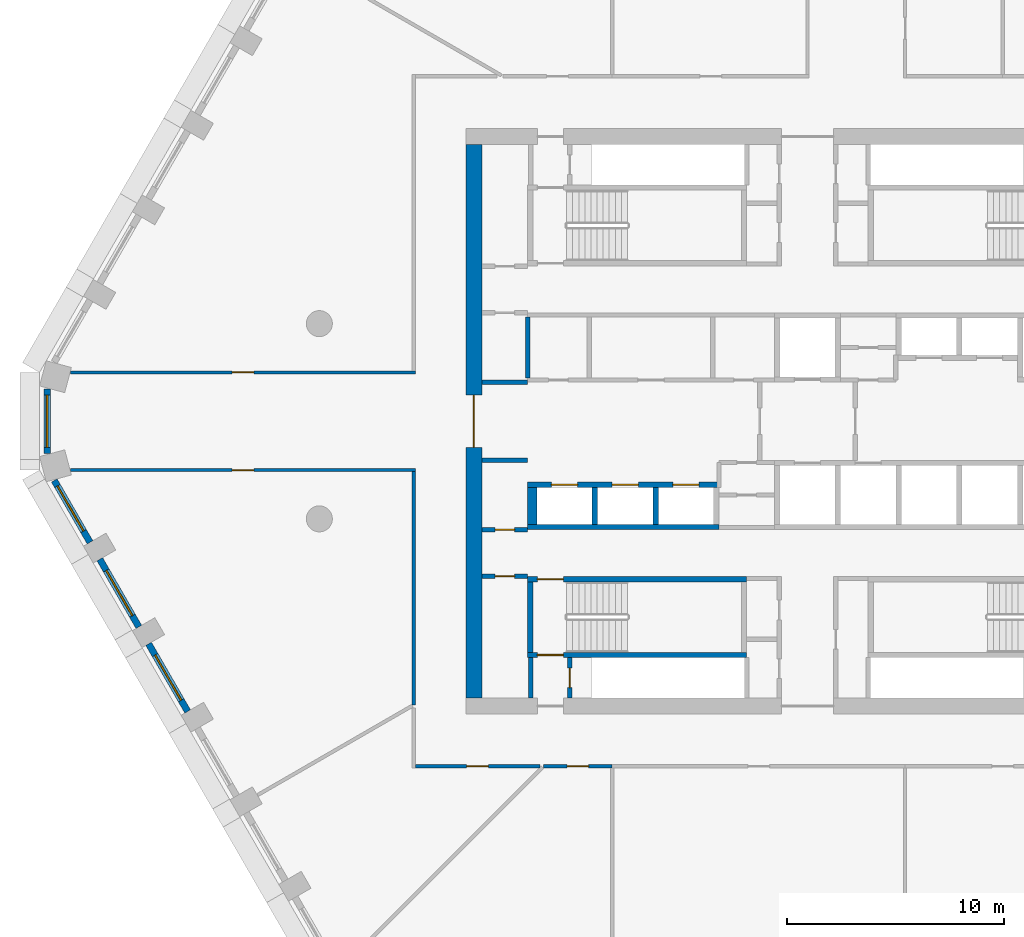
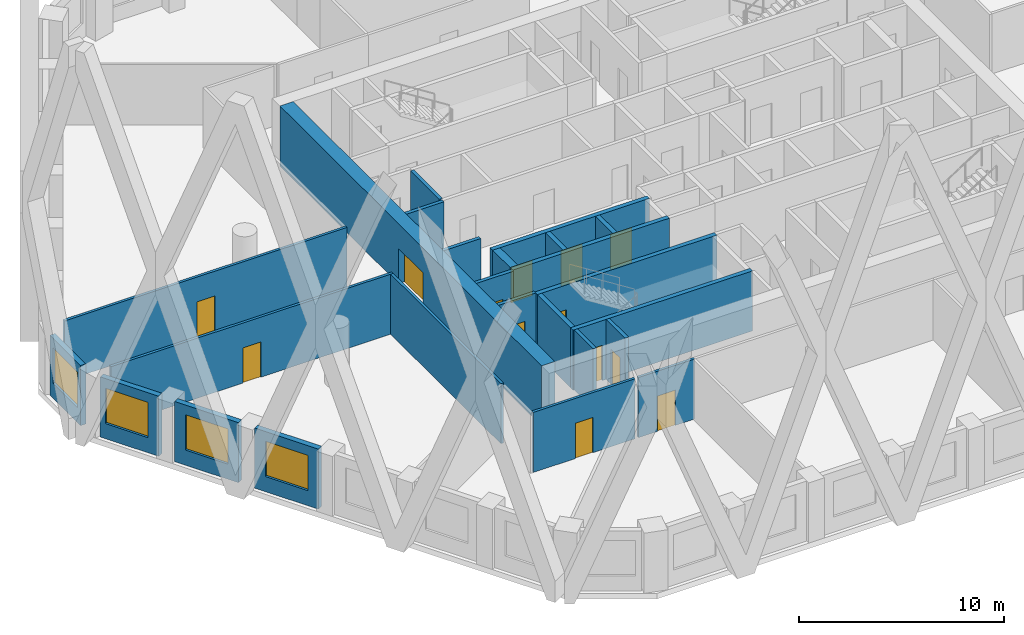
# One storey, part 2 of 17: 25 walls, 13 doors, 4 windows, 17 openings.
"""IFC4 building model written with IfcOpenShell, lengths in metres."""

from ifc_helpers import new_model, si_unit, direction, frame, frame_2d, origin, place, context, subcontext, project, spatial, polyline, rectangle, outline, extrude, material, layer, layer_set, type_object, element, fill, save


model = new_model("IFC4")

# Units and contexts
model_context = context("Model", 3, precision=1e-05, world=origin(), true_north=direction((0.0, 1.0)))
body_context = subcontext(model_context, "Body", "Model", "MODEL_VIEW")
ifc_project = project(units=[si_unit("LENGTHUNIT", "METRE"), si_unit("AREAUNIT", "SQUARE_METRE"), si_unit("VOLUMEUNIT", "CUBIC_METRE"), si_unit("PLANEANGLEUNIT", "RADIAN"), si_unit("MASSUNIT", "GRAM", prefix="KILO")], contexts=[model_context])

# Site, building, storey
site_placement = place(None, origin())
site = spatial("IfcSite", under=ifc_project, at=site_placement, CompositionType="ELEMENT")
building_placement = place(site_placement, origin())
building = spatial("IfcBuilding", under=site, at=building_placement, Name="Dhurran Vertical Campus", CompositionType="ELEMENT")
storey_placement = place(building_placement, frame((0.0, 0.0, 156.0)))
storey = spatial("IfcBuildingStorey", under=building, at=storey_placement, Name="L38", CompositionType="ELEMENT", Elevation=156.0)

# Wall, opening, window
ifc_material_1 = material(Name="Precast concrete C50/60", Category="concrete")
ifc_layer_1 = layer(ifc_material_1, 0.300048828125)
ifc_layer_set_1 = layer_set([ifc_layer_1], Name="Precast concrete C50/60")
wall_type_1 = type_object("IfcWallType", Name="Precast spandrel wall 300", PredefinedType="SOLIDWALL", material=ifc_layer_set_1)
wall_1_placement = place(storey_placement, frame((-35.047119140625, 1.49462890625, 0.0), z_axis=(0.0, 0.0, 1.0), x_axis=(0.0, -1.0, 0.0)))
wall_1 = element("IfcWall", 1, at=wall_1_placement, inside=storey, type_object=wall_type_1, Name="EW1 L38.38", PredefinedType="SOLIDWALL", context=body_context, shape_type="SweptSolid", body=[
    extrude(rectangle(XDim=2.9892578125, YDim=0.300048828125, at=frame_2d((1.49462890625, 0.0))), origin(), (0.0, 0.0, 1.0), 3.574951171875),
])
opening_1_placement = place(wall_1_placement, frame((0.294677734375, 0.0, 0.89990234375)))
opening_1 = element("IfcOpeningElement", 2, at=opening_1_placement, cuts=wall_1, Name="Opening WT1", PredefinedType="OPENING", context=body_context, shape_type="SweptSolid", body=[
    extrude(rectangle(XDim=2.39990234375, YDim=2.10009765625, at=frame_2d((1.199951171875, 1.050048828125))), frame((0.0, 0.159912109375, 0.0), z_axis=(0.0, -1.0, 0.0), x_axis=(1.0, 0.0, 0.0)), (0.0, 0.0, 1.0), 0.320068359375),
])
ifc_material_2 = material(Name="Aluminium frame with solar-control glass", Category="aluminium")
window_type = type_object("IfcWindowType", Name="Punched window 2400 x 2100", PartitioningType="SINGLE_PANEL", PredefinedType="WINDOW", material=ifc_material_2)
window_1_placement = place(opening_1_placement, origin())
window_1 = element("IfcWindow", 3, at=window_1_placement, inside=storey, type_object=window_type, Name="WT1 L38.38", OverallHeight=2.10009765625, OverallWidth=2.39990234375, PartitioningType="SINGLE_PANEL", PredefinedType="WINDOW", context=body_context, shape_type="SweptSolid", body=[
    extrude(rectangle(XDim=2.39990234375, YDim=2.10009765625, at=frame_2d((1.199951171875, 1.050048828125))), frame((0.0, 0.030029296875, 0.0), z_axis=(0.0, -1.0, 0.0), x_axis=(1.0, 0.0, 0.0)), (0.0, 0.0, 1.0), 0.06005859375),
])
fill(opening_1, window_1)

wall_2_placement = place(storey_placement, frame((-34.71630859375, -2.729248046875, 0.0), z_axis=(0.0, 0.0, 1.0), x_axis=(0.499981217486, -0.866036247602, 0.0)))
wall_2 = element("IfcWall", 4, at=wall_2_placement, inside=storey, type_object=wall_type_1, Name="EW1 L38.39", PredefinedType="SOLIDWALL", context=body_context, shape_type="SweptSolid", body=[
    extrude(rectangle(XDim=3.294189453125, YDim=0.300048828125, at=frame_2d((1.64697265625, 0.0))), origin(), (0.0, 0.0, 1.0), 3.574951171875),
])
opening_2_placement = place(wall_2_placement, frame((0.294677734375, 0.0, 0.89990234375)))
opening_2 = element("IfcOpeningElement", 5, at=opening_2_placement, cuts=wall_2, Name="Opening WT1", PredefinedType="OPENING", context=body_context, shape_type="SweptSolid", body=[
    extrude(rectangle(XDim=2.39990234375, YDim=2.10009765625, at=frame_2d((1.199951171875, 1.050048828125))), frame((0.0, 0.159912109375, 0.0), z_axis=(0.0, -1.0, 0.0), x_axis=(1.0, 0.0, 0.0)), (0.0, 0.0, 1.0), 0.320068359375),
])
window_2_placement = place(opening_2_placement, origin())
window_2 = element("IfcWindow", 6, at=window_2_placement, inside=storey, type_object=window_type, Name="WT1 L38.39", OverallHeight=2.10009765625, OverallWidth=2.39990234375, PartitioningType="SINGLE_PANEL", PredefinedType="WINDOW", context=body_context, shape_type="SweptSolid", body=[
    extrude(rectangle(XDim=2.39990234375, YDim=2.10009765625, at=frame_2d((1.199951171875, 1.050048828125))), frame((0.0, 0.030029296875, 0.0), z_axis=(0.0, -1.0, 0.0), x_axis=(1.0, 0.0, 0.0)), (0.0, 0.0, 1.0), 0.06005859375),
])
fill(opening_2, window_2)

wall_3_placement = place(storey_placement, frame((-32.618896484375, -6.3623046875, 0.0), z_axis=(0.0, 0.0, 1.0), x_axis=(0.500027802648, -0.866009351323, 0.0)))
wall_3 = element("IfcWall", 7, at=wall_3_placement, inside=storey, type_object=wall_type_1, Name="EW1 L38.40", PredefinedType="SOLIDWALL", context=body_context, shape_type="SweptSolid", body=[
    extrude(rectangle(XDim=3.598876953125, YDim=0.300048828125, at=frame_2d((1.79931640625, 0.0))), origin(), (0.0, 0.0, 1.0), 3.574951171875),
])
opening_3_placement = place(wall_3_placement, frame((0.599609375, 0.0, 0.89990234375)))
opening_3 = element("IfcOpeningElement", 8, at=opening_3_placement, cuts=wall_3, Name="Opening WT1", PredefinedType="OPENING", context=body_context, shape_type="SweptSolid", body=[
    extrude(rectangle(XDim=2.39990234375, YDim=2.10009765625, at=frame_2d((1.199951171875, 1.050048828125))), frame((0.0, 0.159912109375, 0.0), z_axis=(0.0, -1.0, 0.0), x_axis=(1.0, 0.0, 0.0)), (0.0, 0.0, 1.0), 0.320068359375),
])
window_3_placement = place(opening_3_placement, origin())
window_3 = element("IfcWindow", 9, at=window_3_placement, inside=storey, type_object=window_type, Name="WT1 L38.40", OverallHeight=2.10009765625, OverallWidth=2.39990234375, PartitioningType="SINGLE_PANEL", PredefinedType="WINDOW", context=body_context, shape_type="SweptSolid", body=[
    extrude(rectangle(XDim=2.39990234375, YDim=2.10009765625, at=frame_2d((1.199951171875, 1.050048828125))), frame((0.0, 0.030029296875, 0.0), z_axis=(0.0, -1.0, 0.0), x_axis=(1.0, 0.0, 0.0)), (0.0, 0.0, 1.0), 0.06005859375),
])
fill(opening_3, window_3)

wall_4_placement = place(storey_placement, frame((-30.368896484375, -10.259521484375, 0.0), z_axis=(0.0, 0.0, 1.0), x_axis=(0.500027802648, -0.866009351323, 0.0)))
wall_4 = element("IfcWall", 10, at=wall_4_placement, inside=storey, type_object=wall_type_1, Name="EW1 L38.41", PredefinedType="SOLIDWALL", context=body_context, shape_type="SweptSolid", body=[
    extrude(rectangle(XDim=3.598876953125, YDim=0.300048828125, at=frame_2d((1.79931640625, 0.0))), origin(), (0.0, 0.0, 1.0), 3.574951171875),
])
opening_4_placement = place(wall_4_placement, frame((0.599609375, 0.0, 0.89990234375)))
opening_4 = element("IfcOpeningElement", 11, at=opening_4_placement, cuts=wall_4, Name="Opening WT1", PredefinedType="OPENING", context=body_context, shape_type="SweptSolid", body=[
    extrude(rectangle(XDim=2.39990234375, YDim=2.10009765625, at=frame_2d((1.199951171875, 1.050048828125))), frame((0.0, 0.159912109375, 0.0), z_axis=(0.0, -1.0, 0.0), x_axis=(1.0, 0.0, 0.0)), (0.0, 0.0, 1.0), 0.320068359375),
])
window_4_placement = place(opening_4_placement, origin())
window_4 = element("IfcWindow", 12, at=window_4_placement, inside=storey, type_object=window_type, Name="WT1 L38.41", OverallHeight=2.10009765625, OverallWidth=2.39990234375, PartitioningType="SINGLE_PANEL", PredefinedType="WINDOW", context=body_context, shape_type="SweptSolid", body=[
    extrude(rectangle(XDim=2.39990234375, YDim=2.10009765625, at=frame_2d((1.199951171875, 1.050048828125))), frame((0.0, 0.030029296875, 0.0), z_axis=(0.0, -1.0, 0.0), x_axis=(1.0, 0.0, 0.0)), (0.0, 0.0, 1.0), 0.06005859375),
])
fill(opening_4, window_4)

# Wall, opening, door
ifc_material_3 = material(Name="Concrete C60/75", Category="concrete")
ifc_layer_2 = layer(ifc_material_3, 0.75)
ifc_layer_set_2 = layer_set([ifc_layer_2], Name="Concrete C60/75")
wall_type_2 = type_object("IfcWallType", Name="co-CORE-WALL-C1-750", PredefinedType="SHEAR", material=ifc_layer_set_2)
wall_5_placement = place(storey_placement, frame((-15.375, -12.75, 0.0), z_axis=(0.0, 0.0, 1.0), x_axis=(0.0, 1.0, 0.0)))
wall_5 = element("IfcWall", 13, at=wall_5_placement, inside=storey, type_object=wall_type_2, Name="Core wall W L38", PredefinedType="SHEAR", context=body_context, shape_type="SweptSolid", body=[
    extrude(rectangle(XDim=25.5, YDim=0.75, at=frame_2d((12.75, 0.0))), origin(), (0.0, 0.0, 1.0), 3.574951171875),
])
opening_5_placement = place(wall_5_placement, frame((11.550048828125, 0.0, 0.0)))
opening_5 = element("IfcOpeningElement", 14, at=opening_5_placement, cuts=wall_5, Name="Opening CL1", PredefinedType="OPENING", context=body_context, shape_type="SweptSolid", body=[
    extrude(rectangle(XDim=2.39990234375, YDim=2.10009765625, at=frame_2d((1.199951171875, 1.050048828125))), frame((0.0, 0.385009765625, 0.0), z_axis=(0.0, -1.0, 0.0), x_axis=(1.0, 0.0, 0.0)), (0.0, 0.0, 1.0), 0.77001953125),
])
ifc_material_4 = material(Name="Fire-rated glazed door set")
door_type_1 = type_object("IfcDoorType", Name="co-D-LOBBY 2400x2100", OperationType="DOUBLE_DOOR_DOUBLE_SWING", PredefinedType="DOOR", material=ifc_material_4)
door_1_placement = place(opening_5_placement, origin())
door_1 = element("IfcDoor", 15, at=door_1_placement, inside=storey, type_object=door_type_1, Name="Lift lobby door W L38", OperationType="DOUBLE_DOOR_DOUBLE_SWING", OverallHeight=2.10009765625, OverallWidth=2.39990234375, PredefinedType="DOOR", context=body_context, shape_type="SweptSolid", body=[
    extrude(rectangle(XDim=2.39990234375, YDim=2.10009765625, at=frame_2d((1.199951171875, 1.050048828125))), frame((0.0, 0.02490234375, 0.0), z_axis=(0.0, -1.0, 0.0), x_axis=(1.0, 0.0, 0.0)), (0.0, 0.0, 1.0), 0.050048828125),
])
fill(opening_5, door_1)

# Wall
ifc_material_5 = material(Name="Fire-rated masonry blockwork", Category="masonry")
ifc_layer_3 = layer(ifc_material_5, 0.199951171875)
ifc_layer_set_3 = layer_set([ifc_layer_3], Name="Fire-rated masonry blockwork")
wall_type_3 = type_object("IfcWallType", Name="co-FIRE-PARTITION-200", PredefinedType="PARTITIONING", material=ifc_layer_set_3)
wall_6_placement = place(storey_placement, frame((-12.75, -12.75, 0.0), z_axis=(0.0, 0.0, 1.0), x_axis=(0.0, 1.0, 0.0)))
element("IfcWall", 16, at=wall_6_placement, inside=storey, type_object=wall_type_3, Name="Core partition pass-ST3-o L38", PredefinedType="PARTITIONING", context=body_context, shape_type="SweptSolid", body=[
    extrude(rectangle(XDim=1.85009765625, YDim=0.199951171875, at=frame_2d((0.925048828125, 0.0))), origin(), (0.0, 0.0, 1.0), 3.574951171875),
])

# Wall, opening, door
wall_7_placement = place(storey_placement, frame((-10.949951171875, -12.75, 0.0), z_axis=(0.0, 0.0, 1.0), x_axis=(0.0, 1.0, 0.0)))
wall_7 = element("IfcWall", 17, at=wall_7_placement, inside=storey, type_object=wall_type_3, Name="Core partition pass-ST3-i L38", PredefinedType="PARTITIONING", context=body_context, shape_type="SweptSolid", body=[
    extrude(rectangle(XDim=1.85009765625, YDim=0.199951171875, at=frame_2d((0.925048828125, 0.0))), origin(), (0.0, 0.0, 1.0), 3.574951171875),
])
opening_6_placement = place(wall_7_placement, frame((0.47509765625, 0.0, 0.0)))
opening_6 = element("IfcOpeningElement", 18, at=opening_6_placement, cuts=wall_7, Name="Opening T11-C10", PredefinedType="OPENING", context=body_context, shape_type="SweptSolid", body=[
    extrude(rectangle(XDim=0.89990234375, YDim=2.10009765625, at=frame_2d((0.449951171875, 1.050048828125))), frame((0.0, 0.10986328125, 0.0), z_axis=(0.0, -1.0, 0.0), x_axis=(1.0, 0.0, 0.0)), (0.0, 0.0, 1.0), 0.219970703125),
])
ifc_material_6 = material(Name="Fire-rated timber door set", Category="wood")
door_type_2 = type_object("IfcDoorType", Name="co-D-ROOM 900x2100", OperationType="SINGLE_SWING_LEFT", PredefinedType="DOOR", material=ifc_material_6)
door_2_placement = place(opening_6_placement, origin())
door_2 = element("IfcDoor", 19, at=door_2_placement, inside=storey, type_object=door_type_2, Name="Riser room door L38", OperationType="SINGLE_SWING_LEFT", OverallHeight=2.10009765625, OverallWidth=0.89990234375, PredefinedType="DOOR", context=body_context, shape_type="SweptSolid", body=[
    extrude(rectangle(XDim=0.89990234375, YDim=2.10009765625, at=frame_2d((0.449951171875, 1.050048828125))), frame((0.0, 0.02490234375, 0.0), z_axis=(0.0, -1.0, 0.0), x_axis=(1.0, 0.0, 0.0)), (0.0, 0.0, 1.0), 0.050048828125),
])
fill(opening_6, door_2)

# Wall
wall_8_placement = place(storey_placement, frame((-15.0, 1.800048828125, 0.0), z_axis=(0.0, 0.0, 1.0), x_axis=(1.0, 0.0, 0.0)))
element("IfcWall", 20, at=wall_8_placement, inside=storey, type_object=wall_type_3, Name="Core partition es-NW-l L38", PredefinedType="PARTITIONING", context=body_context, shape_type="SweptSolid", body=[
    extrude(rectangle(XDim=2.10009765625, YDim=0.199951171875, at=frame_2d((1.050048828125, 0.0))), origin(), (0.0, 0.0, 1.0), 3.574951171875),
])

# Wall, opening, door
wall_9_placement = place(storey_placement, frame((-15.0, -7.14990234375, 0.0), z_axis=(0.0, 0.0, 1.0), x_axis=(1.0, 0.0, 0.0)))
wall_9 = element("IfcWall", 21, at=wall_9_placement, inside=storey, type_object=wall_type_3, Name="Core partition en-SW-w L38", PredefinedType="PARTITIONING", context=body_context, shape_type="SweptSolid", body=[
    extrude(rectangle(XDim=2.10009765625, YDim=0.199951171875, at=frame_2d((1.050048828125, 0.0))), origin(), (0.0, 0.0, 1.0), 3.574951171875),
])
opening_7_placement = place(wall_9_placement, frame((0.60009765625, 0.0, 0.0)))
opening_7 = element("IfcOpeningElement", 22, at=opening_7_placement, cuts=wall_9, Name="Opening T11-C16", PredefinedType="OPENING", context=body_context, shape_type="SweptSolid", body=[
    extrude(rectangle(XDim=0.89990234375, YDim=2.10009765625, at=frame_2d((0.449951171875, 1.050048828125))), frame((0.0, 0.10986328125, 0.0), z_axis=(0.0, -1.0, 0.0), x_axis=(1.0, 0.0, 0.0)), (0.0, 0.0, 1.0), 0.219970703125),
])
door_3_placement = place(opening_7_placement, origin())
door_3 = element("IfcDoor", 23, at=door_3_placement, inside=storey, type_object=door_type_2, Name="Electrical riser door L38", OperationType="SINGLE_SWING_LEFT", OverallHeight=2.10009765625, OverallWidth=0.89990234375, PredefinedType="DOOR", context=body_context, shape_type="SweptSolid", body=[
    extrude(rectangle(XDim=0.89990234375, YDim=2.10009765625, at=frame_2d((0.449951171875, 1.050048828125))), frame((0.0, 0.02490234375, 0.0), z_axis=(0.0, -1.0, 0.0), x_axis=(1.0, 0.0, 0.0)), (0.0, 0.0, 1.0), 0.050048828125),
])
fill(opening_7, door_3)

wall_10_placement = place(storey_placement, frame((-15.0, -5.0, 0.0), z_axis=(0.0, 0.0, 1.0), x_axis=(1.0, 0.0, 0.0)))
wall_10 = element("IfcWall", 24, at=wall_10_placement, inside=storey, type_object=wall_type_3, Name="Core partition es-SW-w L38", PredefinedType="PARTITIONING", context=body_context, shape_type="SweptSolid", body=[
    extrude(rectangle(XDim=2.10009765625, YDim=0.199951171875, at=frame_2d((1.050048828125, 0.0))), origin(), (0.0, 0.0, 1.0), 3.574951171875),
])
opening_8_placement = place(wall_10_placement, frame((0.60009765625, 0.0, 0.0)))
opening_8 = element("IfcOpeningElement", 25, at=opening_8_placement, cuts=wall_10, Name="Opening T11-C17", PredefinedType="OPENING", context=body_context, shape_type="SweptSolid", body=[
    extrude(rectangle(XDim=0.89990234375, YDim=2.10009765625, at=frame_2d((0.449951171875, 1.050048828125))), frame((0.0, 0.10986328125, 0.0), z_axis=(0.0, -1.0, 0.0), x_axis=(1.0, 0.0, 0.0)), (0.0, 0.0, 1.0), 0.219970703125),
])
door_4_placement = place(opening_8_placement, origin())
door_4 = element("IfcDoor", 26, at=door_4_placement, inside=storey, type_object=door_type_2, Name="Fire equipment store door L38", OperationType="SINGLE_SWING_LEFT", OverallHeight=2.10009765625, OverallWidth=0.89990234375, PredefinedType="DOOR", context=body_context, shape_type="SweptSolid", body=[
    extrude(rectangle(XDim=0.89990234375, YDim=2.10009765625, at=frame_2d((0.449951171875, 1.050048828125))), frame((0.0, 0.02490234375, 0.0), z_axis=(0.0, -1.0, 0.0), x_axis=(1.0, 0.0, 0.0)), (0.0, 0.0, 1.0), 0.050048828125),
])
fill(opening_8, door_4)

# Walls
wall_11_placement = place(storey_placement, frame((-15.0, -1.800048828125, 0.0), z_axis=(0.0, 0.0, 1.0), x_axis=(1.0, 0.0, 0.0)))
element("IfcWall", 27, at=wall_11_placement, inside=storey, type_object=wall_type_3, Name="Core partition es-SW-l L38", PredefinedType="PARTITIONING", context=body_context, shape_type="SweptSolid", body=[
    extrude(rectangle(XDim=2.10009765625, YDim=0.199951171875, at=frame_2d((1.050048828125, 0.0))), origin(), (0.0, 0.0, 1.0), 3.574951171875),
])
wall_12_placement = place(storey_placement, frame((-12.89990234375, 2.0, 0.0), z_axis=(0.0, 0.0, 1.0), x_axis=(0.0, 1.0, 0.0)))
element("IfcWall", 28, at=wall_12_placement, inside=storey, type_object=wall_type_3, Name="Core partition fr-N0-e0 L38", PredefinedType="PARTITIONING", context=body_context, shape_type="SweptSolid", body=[
    extrude(rectangle(XDim=2.800048828125, YDim=0.199951171875, at=frame_2d((1.39990234375, 0.0))), origin(), (0.0, 0.0, 1.0), 3.574951171875),
])

# Wall, openings, doors
ifc_material_7 = material(Name="Concrete C50/60", Category="concrete")
ifc_layer_4 = layer(ifc_material_7, 0.25)
ifc_layer_set_4 = layer_set([ifc_layer_4], Name="Concrete C50/60")
wall_type_4 = type_object("IfcWallType", Name="co-SHAFT-FRONT-250", PredefinedType="SHEAR", material=ifc_layer_set_4)
wall_13_placement = place(storey_placement, frame((-12.89990234375, -2.925048828125, 0.0), z_axis=(0.0, 0.0, 1.0), x_axis=(1.0, 0.0, 0.0)))
wall_13 = element("IfcWall", 29, at=wall_13_placement, inside=storey, type_object=wall_type_4, Name="Lift landing wall S L38", PredefinedType="SHEAR", context=body_context, shape_type="SweptSolid", body=[
    extrude(rectangle(XDim=8.824951171875, YDim=0.25, at=frame_2d((4.41259765625, 0.0))), origin(), (0.0, 0.0, 1.0), 3.574951171875),
])
opening_9_placement = place(wall_13_placement, frame((1.10009765625, 0.0, 0.0)))
opening_9 = element("IfcOpeningElement", 30, at=opening_9_placement, cuts=wall_13, Name="Opening LD", PredefinedType="OPENING", context=body_context, shape_type="SweptSolid", body=[
    extrude(rectangle(XDim=1.199951171875, YDim=2.10009765625, at=frame_2d((0.60009765625, 1.050048828125))), frame((0.0, 0.135009765625, 0.0), z_axis=(0.0, -1.0, 0.0), x_axis=(1.0, 0.0, 0.0)), (0.0, 0.0, 1.0), 0.27001953125),
])
opening_10_placement = place(wall_13_placement, frame((3.89990234375, 0.0, 0.0)))
opening_10 = element("IfcOpeningElement", 31, at=opening_10_placement, cuts=wall_13, Name="Opening LD", PredefinedType="OPENING", context=body_context, shape_type="SweptSolid", body=[
    extrude(rectangle(XDim=1.199951171875, YDim=2.10009765625, at=frame_2d((0.60009765625, 1.050048828125))), frame((0.0, 0.135009765625, 0.0), z_axis=(0.0, -1.0, 0.0), x_axis=(1.0, 0.0, 0.0)), (0.0, 0.0, 1.0), 0.27001953125),
])
opening_11_placement = place(wall_13_placement, frame((6.699951171875, 0.0, 0.0)))
opening_11 = element("IfcOpeningElement", 32, at=opening_11_placement, cuts=wall_13, Name="Opening LD", PredefinedType="OPENING", context=body_context, shape_type="SweptSolid", body=[
    extrude(rectangle(XDim=1.199951171875, YDim=2.10009765625, at=frame_2d((0.60009765625, 1.050048828125))), frame((0.0, 0.135009765625, 0.0), z_axis=(0.0, -1.0, 0.0), x_axis=(1.0, 0.0, 0.0)), (0.0, 0.0, 1.0), 0.27001953125),
])
ifc_material_8 = material(Name="Stainless steel landing door", Category="steel")
door_type_3 = type_object("IfcDoorType", Name="co-D-LANDING 1200x2100", OperationType="DOUBLE_DOOR_SLIDING", PredefinedType="DOOR", material=ifc_material_8)
door_5_placement = place(opening_9_placement, origin())
door_5 = element("IfcDoor", 33, at=door_5_placement, inside=storey, type_object=door_type_3, Name="Landing door MR3 L38", OperationType="DOUBLE_DOOR_SLIDING", OverallHeight=2.10009765625, OverallWidth=1.199951171875, PredefinedType="DOOR", context=body_context, shape_type="SweptSolid", body=[
    extrude(rectangle(XDim=1.199951171875, YDim=2.10009765625, at=frame_2d((0.60009765625, 1.050048828125))), frame((0.0, 0.02490234375, 0.0), z_axis=(0.0, -1.0, 0.0), x_axis=(1.0, 0.0, 0.0)), (0.0, 0.0, 1.0), 0.050048828125),
])
fill(opening_9, door_5)
door_6_placement = place(opening_10_placement, origin())
door_6 = element("IfcDoor", 34, at=door_6_placement, inside=storey, type_object=door_type_3, Name="Landing door MR4 L38", OperationType="DOUBLE_DOOR_SLIDING", OverallHeight=2.10009765625, OverallWidth=1.199951171875, PredefinedType="DOOR", context=body_context, shape_type="SweptSolid", body=[
    extrude(rectangle(XDim=1.199951171875, YDim=2.10009765625, at=frame_2d((0.60009765625, 1.050048828125))), frame((0.0, 0.02490234375, 0.0), z_axis=(0.0, -1.0, 0.0), x_axis=(1.0, 0.0, 0.0)), (0.0, 0.0, 1.0), 0.050048828125),
])
fill(opening_10, door_6)
door_7_placement = place(opening_11_placement, origin())
door_7 = element("IfcDoor", 35, at=door_7_placement, inside=storey, type_object=door_type_3, Name="Landing door MR5 L38", OperationType="DOUBLE_DOOR_SLIDING", OverallHeight=2.10009765625, OverallWidth=1.199951171875, PredefinedType="DOOR", context=body_context, shape_type="SweptSolid", body=[
    extrude(rectangle(XDim=1.199951171875, YDim=2.10009765625, at=frame_2d((0.60009765625, 1.050048828125))), frame((0.0, 0.02490234375, 0.0), z_axis=(0.0, -1.0, 0.0), x_axis=(1.0, 0.0, 0.0)), (0.0, 0.0, 1.0), 0.050048828125),
])
fill(opening_11, door_7)

# Walls
ifc_material_9 = material(Name="Concrete C50/60", Category="concrete")
ifc_layer_5 = layer(ifc_material_9, 0.25)
ifc_layer_set_5 = layer_set([ifc_layer_5], Name="Concrete C50/60")
wall_type_5 = type_object("IfcWallType", Name="co-SHAFT-MASS-250", PredefinedType="SHEAR", material=ifc_layer_set_5)
wall_14_placement = place(storey_placement, origin())
element("IfcWall", 36, at=wall_14_placement, inside=storey, type_object=wall_type_5, Name="Lift shaft wall S L38 1", PredefinedType="SHEAR", context=body_context, shape_type="SweptSolid", body=[
    extrude(outline(polyline([(-12.89990234375, -5.0), (-4.074951171875, -5.0), (-4.074951171875, -4.75), (-12.89990234375, -4.75), (-12.89990234375, -5.0)])), origin(), (0.0, 0.0, 1.0), 3.574951171875),
])
wall_15_placement = place(storey_placement, origin())
element("IfcWall", 37, at=wall_15_placement, inside=storey, type_object=wall_type_5, Name="Lift shaft wall S L38 3", PredefinedType="SHEAR", context=body_context, shape_type="SweptSolid", body=[
    extrude(outline(polyline([(-12.89990234375, -4.75), (-12.47509765625, -4.75), (-12.47509765625, -3.050048828125), (-12.89990234375, -3.050048828125), (-12.89990234375, -4.75)])), origin(), (0.0, 0.0, 1.0), 3.574951171875),
])
wall_16_placement = place(storey_placement, origin())
element("IfcWall", 38, at=wall_16_placement, inside=storey, type_object=wall_type_5, Name="Lift shaft wall S L38 4", PredefinedType="SHEAR", context=body_context, shape_type="SweptSolid", body=[
    extrude(outline(polyline([(-9.925048828125, -4.75), (-9.675048828125, -4.75), (-9.675048828125, -3.050048828125), (-9.925048828125, -3.050048828125), (-9.925048828125, -4.75)])), origin(), (0.0, 0.0, 1.0), 3.574951171875),
])
wall_17_placement = place(storey_placement, origin())
element("IfcWall", 39, at=wall_17_placement, inside=storey, type_object=wall_type_5, Name="Lift shaft wall S L38 5", PredefinedType="SHEAR", context=body_context, shape_type="SweptSolid", body=[
    extrude(outline(polyline([(-7.125, -4.75), (-6.875, -4.75), (-6.875, -3.050048828125), (-7.125, -3.050048828125), (-7.125, -4.75)])), origin(), (0.0, 0.0, 1.0), 3.574951171875),
])

# Wall, opening, door
ifc_material_10 = material(Name="Concrete C40/50", Category="concrete")
ifc_layer_6 = layer(ifc_material_10, 0.25)
ifc_layer_set_6 = layer_set([ifc_layer_6], Name="Concrete C40/50")
wall_type_6 = type_object("IfcWallType", Name="co-STAIR-WALL-250", PredefinedType="SHEAR", material=ifc_layer_set_6)
wall_18_placement = place(storey_placement, frame((-12.89990234375, -10.77490234375, 0.0), z_axis=(0.0, 0.0, 1.0), x_axis=(1.0, 0.0, 0.0)))
wall_18 = element("IfcWall", 40, at=wall_18_placement, inside=storey, type_object=wall_type_6, Name="Stair ST3 enclosure wall L38", PredefinedType="SHEAR", context=body_context, shape_type="SweptSolid", body=[
    extrude(rectangle(XDim=10.099853515625, YDim=0.25, at=frame_2d((5.0498046875, 0.0))), origin(), (0.0, 0.0, 1.0), 3.574951171875),
])
opening_12_placement = place(wall_18_placement, frame((0.449951171875, 0.0, 0.0)))
opening_12 = element("IfcOpeningElement", 41, at=opening_12_placement, cuts=wall_18, Name="Opening XS3", PredefinedType="OPENING", context=body_context, shape_type="SweptSolid", body=[
    extrude(rectangle(XDim=1.199951171875, YDim=2.10009765625, at=frame_2d((0.60009765625, 1.050048828125))), frame((0.0, 0.135009765625, 0.0), z_axis=(0.0, -1.0, 0.0), x_axis=(1.0, 0.0, 0.0)), (0.0, 0.0, 1.0), 0.27001953125),
])
ifc_material_11 = material(Name="Fire-rated steel door set", Category="steel")
door_type_4 = type_object("IfcDoorType", Name="co-D-STAIR-EXIT 1200x2100", OperationType="SINGLE_SWING_RIGHT", PredefinedType="DOOR", material=ifc_material_11)
door_8_placement = place(opening_12_placement, origin())
door_8 = element("IfcDoor", 42, at=door_8_placement, inside=storey, type_object=door_type_4, Name="Stair ST3 discharge door L38", OperationType="SINGLE_SWING_RIGHT", OverallHeight=2.10009765625, OverallWidth=1.199951171875, PredefinedType="DOOR", context=body_context, shape_type="SweptSolid", body=[
    extrude(rectangle(XDim=1.199951171875, YDim=2.10009765625, at=frame_2d((0.60009765625, 1.050048828125))), frame((0.0, 0.02490234375, 0.0), z_axis=(0.0, -1.0, 0.0), x_axis=(1.0, 0.0, 0.0)), (0.0, 0.0, 1.0), 0.050048828125),
])
fill(opening_12, door_8)

wall_19_placement = place(storey_placement, frame((-12.89990234375, -7.27490234375, 0.0), z_axis=(0.0, 0.0, 1.0), x_axis=(1.0, 0.0, 0.0)))
wall_19 = element("IfcWall", 43, at=wall_19_placement, inside=storey, type_object=wall_type_6, Name="Stair ST3 enclosure wall L38", PredefinedType="SHEAR", context=body_context, shape_type="SweptSolid", body=[
    extrude(rectangle(XDim=10.099853515625, YDim=0.25, at=frame_2d((5.0498046875, 0.0))), origin(), (0.0, 0.0, 1.0), 3.574951171875),
])
opening_13_placement = place(wall_19_placement, frame((0.449951171875, 0.0, 0.0)))
opening_13 = element("IfcOpeningElement", 44, at=opening_13_placement, cuts=wall_19, Name="Opening SD3", PredefinedType="OPENING", context=body_context, shape_type="SweptSolid", body=[
    extrude(rectangle(XDim=1.199951171875, YDim=2.10009765625, at=frame_2d((0.60009765625, 1.050048828125))), frame((0.0, 0.135009765625, 0.0), z_axis=(0.0, -1.0, 0.0), x_axis=(1.0, 0.0, 0.0)), (0.0, 0.0, 1.0), 0.27001953125),
])
ifc_material_12 = material(Name="Fire-rated steel door set", Category="steel")
door_type_5 = type_object("IfcDoorType", Name="co-D-STAIR 1200x2100", OperationType="SINGLE_SWING_LEFT", PredefinedType="DOOR", material=ifc_material_12)
door_9_placement = place(opening_13_placement, origin())
door_9 = element("IfcDoor", 45, at=door_9_placement, inside=storey, type_object=door_type_5, Name="Stair ST3 door L38", OperationType="SINGLE_SWING_LEFT", OverallHeight=2.10009765625, OverallWidth=1.199951171875, PredefinedType="DOOR", context=body_context, shape_type="SweptSolid", body=[
    extrude(rectangle(XDim=1.199951171875, YDim=2.10009765625, at=frame_2d((0.60009765625, 1.050048828125))), frame((0.0, 0.02490234375, 0.0), z_axis=(0.0, -1.0, 0.0), x_axis=(1.0, 0.0, 0.0)), (0.0, 0.0, 1.0), 0.050048828125),
])
fill(opening_13, door_9)

# Wall
wall_20_placement = place(storey_placement, frame((-12.77490234375, -10.64990234375, 0.0), z_axis=(0.0, 0.0, 1.0), x_axis=(0.0, 1.0, 0.0)))
element("IfcWall", 46, at=wall_20_placement, inside=storey, type_object=wall_type_6, Name="Stair ST3 enclosure wall L38", PredefinedType="SHEAR", context=body_context, shape_type="SweptSolid", body=[
    extrude(rectangle(XDim=3.25, YDim=0.25, at=frame_2d((1.625, 0.0))), origin(), (0.0, 0.0, 1.0), 3.574951171875),
])

# Wall, opening, door
ifc_material_13 = material(Name="Gypsum board corridor wall on steel studs", Category="steel")
ifc_layer_7 = layer(ifc_material_13, 0.14990234375)
ifc_layer_set_7 = layer_set([ifc_layer_7], Name="Gypsum board corridor wall on steel studs")
wall_type_7 = type_object("IfcWallType", Name="fl-CW-150 corridor wall", PredefinedType="PARTITIONING", material=ifc_layer_set_7)
wall_21_placement = place(storey_placement, frame((-18.074951171875, -2.25, 0.0), z_axis=(0.0, 0.0, 1.0), x_axis=(-1.0, 0.0, 0.0)))
wall_21 = element("IfcWall", 47, at=wall_21_placement, inside=storey, type_object=wall_type_7, Name="Partition 38-01", PredefinedType="PARTITIONING", context=body_context, shape_type="SweptSolid", body=[
    extrude(rectangle(XDim=15.892822265625, YDim=0.14990234375, at=frame_2d((7.9462890625, 0.0))), origin(), (0.0, 0.0, 1.0), 3.574951171875),
])
opening_14_placement = place(wall_21_placement, frame((7.4462890625, 0.0, 0.0)))
opening_14 = element("IfcOpeningElement", 48, at=opening_14_placement, cuts=wall_21, Name="Opening T11.01", PredefinedType="OPENING", context=body_context, shape_type="SweptSolid", body=[
    extrude(rectangle(XDim=1.0, YDim=2.10009765625, at=frame_2d((0.5, 1.050048828125))), frame((0.0, 0.0849609375, 0.0), z_axis=(0.0, -1.0, 0.0), x_axis=(1.0, 0.0, 0.0)), (0.0, 0.0, 1.0), 0.169921875),
])
ifc_material_14 = material(Name="Solid-core timber door set, fire-rated", Category="wood")
door_type_6 = type_object("IfcDoorType", Name="fl-D-1000x2100", OperationType="SINGLE_SWING_LEFT", PredefinedType="DOOR", material=ifc_material_14)
door_10_placement = place(opening_14_placement, origin())
door_10 = element("IfcDoor", 49, at=door_10_placement, inside=storey, type_object=door_type_6, Name="Door 38.01", OperationType="SINGLE_SWING_RIGHT", OverallHeight=2.10009765625, OverallWidth=1.0, PredefinedType="DOOR", context=body_context, shape_type="SweptSolid", body=[
    extrude(rectangle(XDim=1.0, YDim=2.10009765625, at=frame_2d((0.5, 1.050048828125))), frame((0.0, 0.02490234375, 0.0), z_axis=(0.0, -1.0, 0.0), x_axis=(1.0, 0.0, 0.0)), (0.0, 0.0, 1.0), 0.050048828125),
])
fill(opening_14, door_10)

wall_22_placement = place(storey_placement, frame((-33.9677734375, 2.25, 0.0), z_axis=(0.0, 0.0, 1.0), x_axis=(1.0, 0.0, 0.0)))
wall_22 = element("IfcWall", 50, at=wall_22_placement, inside=storey, type_object=wall_type_7, Name="Partition 38-02", PredefinedType="PARTITIONING", context=body_context, shape_type="SweptSolid", body=[
    extrude(rectangle(XDim=15.892822265625, YDim=0.14990234375, at=frame_2d((7.9462890625, 0.0))), origin(), (0.0, 0.0, 1.0), 3.574951171875),
])
opening_15_placement = place(wall_22_placement, frame((7.4462890625, 0.0, 0.0)))
opening_15 = element("IfcOpeningElement", 51, at=opening_15_placement, cuts=wall_22, Name="Opening T11.02", PredefinedType="OPENING", context=body_context, shape_type="SweptSolid", body=[
    extrude(rectangle(XDim=1.0, YDim=2.10009765625, at=frame_2d((0.5, 1.050048828125))), frame((0.0, 0.0849609375, 0.0), z_axis=(0.0, -1.0, 0.0), x_axis=(1.0, 0.0, 0.0)), (0.0, 0.0, 1.0), 0.169921875),
])
door_11_placement = place(opening_15_placement, origin())
door_11 = element("IfcDoor", 52, at=door_11_placement, inside=storey, type_object=door_type_6, Name="Door 38.02", OperationType="SINGLE_SWING_LEFT", OverallHeight=2.10009765625, OverallWidth=1.0, PredefinedType="DOOR", context=body_context, shape_type="SweptSolid", body=[
    extrude(rectangle(XDim=1.0, YDim=2.10009765625, at=frame_2d((0.5, 1.050048828125))), frame((0.0, 0.02490234375, 0.0), z_axis=(0.0, -1.0, 0.0), x_axis=(1.0, 0.0, 0.0)), (0.0, 0.0, 1.0), 0.050048828125),
])
fill(opening_15, door_11)

wall_23_placement = place(storey_placement, frame((-18.074951171875, -15.89990234375, 0.0), z_axis=(0.0, 0.0, 1.0), x_axis=(1.0, 0.0, 0.0)))
wall_23 = element("IfcWall", 53, at=wall_23_placement, inside=storey, type_object=wall_type_7, Name="Partition 38-07", PredefinedType="PARTITIONING", context=body_context, shape_type="SweptSolid", body=[
    extrude(rectangle(XDim=5.73583984375, YDim=0.14990234375, at=frame_2d((2.867919921875, 0.0))), origin(), (0.0, 0.0, 1.0), 3.574951171875),
])
opening_16_placement = place(wall_23_placement, frame((2.367919921875, 0.0, 0.0)))
opening_16 = element("IfcOpeningElement", 54, at=opening_16_placement, cuts=wall_23, Name="Opening T11.03", PredefinedType="OPENING", context=body_context, shape_type="SweptSolid", body=[
    extrude(rectangle(XDim=1.0, YDim=2.10009765625, at=frame_2d((0.5, 1.050048828125))), frame((0.0, 0.0849609375, 0.0), z_axis=(0.0, -1.0, 0.0), x_axis=(1.0, 0.0, 0.0)), (0.0, 0.0, 1.0), 0.169921875),
])
door_12_placement = place(opening_16_placement, origin())
door_12 = element("IfcDoor", 55, at=door_12_placement, inside=storey, type_object=door_type_6, Name="Door 38.03", OperationType="SINGLE_SWING_RIGHT", OverallHeight=2.10009765625, OverallWidth=1.0, PredefinedType="DOOR", context=body_context, shape_type="SweptSolid", body=[
    extrude(rectangle(XDim=1.0, YDim=2.10009765625, at=frame_2d((0.5, 1.050048828125))), frame((0.0, 0.02490234375, 0.0), z_axis=(0.0, -1.0, 0.0), x_axis=(1.0, 0.0, 0.0)), (0.0, 0.0, 1.0), 0.050048828125),
])
fill(opening_16, door_12)

# Wall
wall_24_placement = place(storey_placement, frame((-18.14990234375, -2.324951171875, 0.0), z_axis=(0.0, 0.0, 1.0), x_axis=(0.0, -1.0, 0.0)))
element("IfcWall", 56, at=wall_24_placement, inside=storey, type_object=wall_type_7, Name="Partition 38-08", PredefinedType="PARTITIONING", context=body_context, shape_type="SweptSolid", body=[
    extrude(rectangle(XDim=10.751953125, YDim=0.14990234375, at=frame_2d((5.3759765625, 0.0))), origin(), (0.0, 0.0, 1.0), 3.574951171875),
])

# Wall, opening, door
wall_25_placement = place(storey_placement, frame((-12.1640625, -15.89990234375, 0.0), z_axis=(0.0, 0.0, 1.0), x_axis=(1.0, 0.0, 0.0)))
wall_25 = element("IfcWall", 57, at=wall_25_placement, inside=storey, type_object=wall_type_7, Name="Partition 38-12", PredefinedType="PARTITIONING", context=body_context, shape_type="SweptSolid", body=[
    extrude(rectangle(XDim=3.1640625, YDim=0.14990234375, at=frame_2d((1.58203125, 0.0))), origin(), (0.0, 0.0, 1.0), 3.574951171875),
])
opening_17_placement = place(wall_25_placement, frame((1.08203125, 0.0, 0.0)))
opening_17 = element("IfcOpeningElement", 58, at=opening_17_placement, cuts=wall_25, Name="Opening T11.05", PredefinedType="OPENING", context=body_context, shape_type="SweptSolid", body=[
    extrude(rectangle(XDim=1.0, YDim=2.10009765625, at=frame_2d((0.5, 1.050048828125))), frame((0.0, 0.0849609375, 0.0), z_axis=(0.0, -1.0, 0.0), x_axis=(1.0, 0.0, 0.0)), (0.0, 0.0, 1.0), 0.169921875),
])
door_13_placement = place(opening_17_placement, origin())
door_13 = element("IfcDoor", 59, at=door_13_placement, inside=storey, type_object=door_type_6, Name="Door 38.05", OperationType="SINGLE_SWING_RIGHT", OverallHeight=2.10009765625, OverallWidth=1.0, PredefinedType="DOOR", context=body_context, shape_type="SweptSolid", body=[
    extrude(rectangle(XDim=1.0, YDim=2.10009765625, at=frame_2d((0.5, 1.050048828125))), frame((0.0, 0.02490234375, 0.0), z_axis=(0.0, -1.0, 0.0), x_axis=(1.0, 0.0, 0.0)), (0.0, 0.0, 1.0), 0.050048828125),
])
fill(opening_17, door_13)

save(model, "model.ifc")
